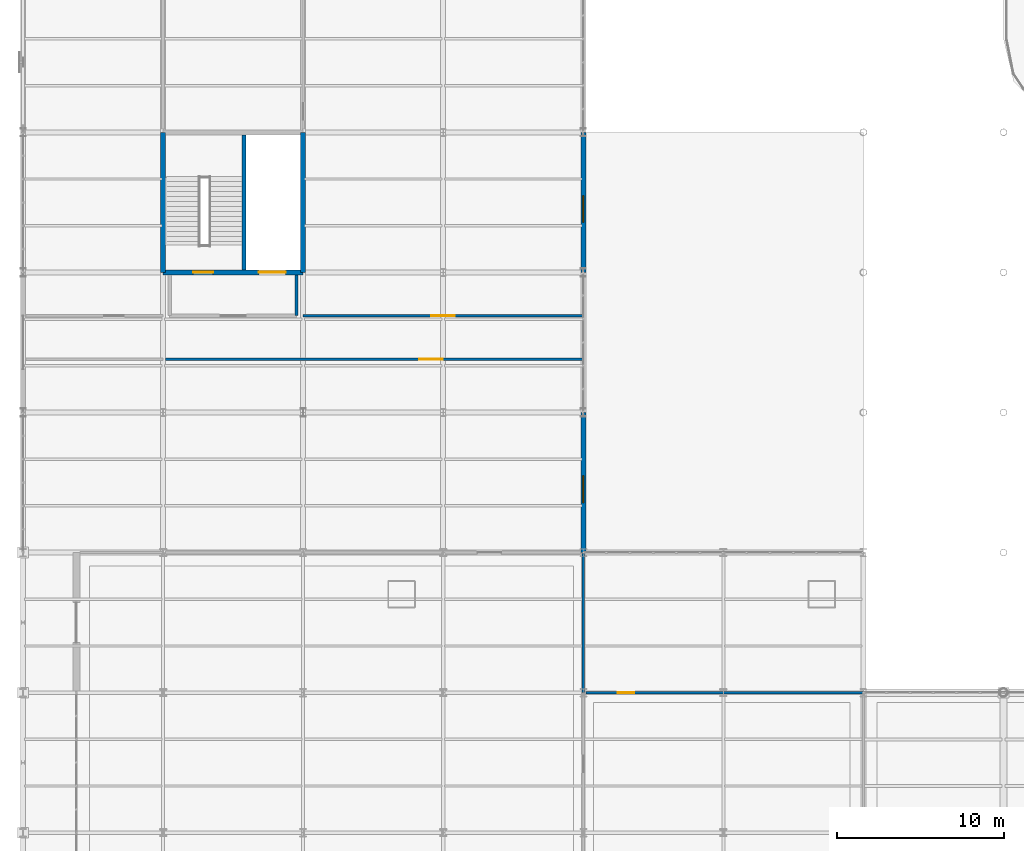
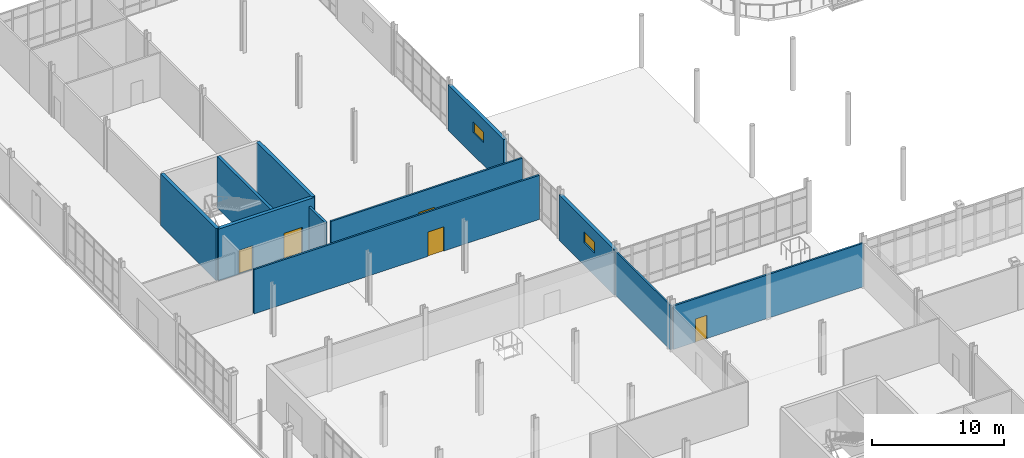
# One storey, part 125 of 145: 11 walls, 5 doors, 2 windows, 7 openings.
"""IFC4 building model written with IfcOpenShell, lengths in metres."""

from ifc_helpers import new_model, si_unit, direction, frame, frame_2d, origin, place, context, subcontext, project, spatial, rectangle, extrude, material, layer, layer_set, type_object, element, fill, save


model = new_model("IFC4")

# Units and contexts
model_context = context("Model", 3, precision=1e-05, world=origin(), true_north=direction((0.0, 1.0)))
body_context = subcontext(model_context, "Body", "Model", "MODEL_VIEW")
ifc_project = project(units=[si_unit("LENGTHUNIT", "METRE"), si_unit("AREAUNIT", "SQUARE_METRE"), si_unit("VOLUMEUNIT", "CUBIC_METRE"), si_unit("PLANEANGLEUNIT", "RADIAN"), si_unit("MASSUNIT", "GRAM", prefix="KILO")], contexts=[model_context])

# Site, building, storey
site_placement = place(None, origin())
site = spatial("IfcSite", under=ifc_project, at=site_placement, CompositionType="ELEMENT")
building_placement = place(site_placement, origin())
building = spatial("IfcBuilding", under=site, at=building_placement, Name="Qalvenar Corner Mobility Hub", CompositionType="ELEMENT")
storey_placement = place(building_placement, origin())
storey = spatial("IfcBuildingStorey", under=building, at=storey_placement, Name="L00", CompositionType="ELEMENT", Elevation=0.0)

# Wall
ifc_material_1 = material(Name="Concrete C40/50", Category="concrete")
ifc_layer_1 = layer(ifc_material_1, 0.25)
ifc_layer_set_1 = layer_set([ifc_layer_1], Name="Concrete C40/50")
wall_type_1 = type_object("IfcWallType", Name="WL-CORE250", PredefinedType="SHEAR", material=ifc_layer_set_1)
wall_1_placement = place(storey_placement, frame((13.25, 58.949951171875, 0.0), z_axis=(0.0, 0.0, 1.0), x_axis=(0.0, 1.0, 0.0)))
element("IfcWall", 1, at=wall_1_placement, inside=storey, type_object=wall_type_1, Name="Core Divider Wall C5-L00", PredefinedType="SHEAR", context=body_context, shape_type="SweptSolid", body=[
    extrude(rectangle(XDim=8.10009765625, YDim=0.25, at=frame_2d((4.050048828125, 0.0))), origin(), (0.0, 0.0, 1.0), 4.800048828125),
])

# Wall, openings, doors
ifc_layer_2 = layer(ifc_material_1, 0.300048828125)
ifc_layer_set_2 = layer_set([ifc_layer_2], Name="Concrete C40/50")
wall_type_2 = type_object("IfcWallType", Name="WL-CORE300", PredefinedType="SHEAR", material=ifc_layer_set_2)
wall_2_placement = place(storey_placement, frame((8.39990234375, 58.800048828125, 0.0), z_axis=(0.0, 0.0, 1.0), x_axis=(1.0, 0.0, 0.0)))
wall_2 = element("IfcWall", 2, at=wall_2_placement, inside=storey, type_object=wall_type_2, Name="Core Shear Wall C5-L00-S", PredefinedType="SHEAR", context=body_context, shape_type="SweptSolid", body=[
    extrude(rectangle(XDim=8.400146484375, YDim=0.300048828125, at=frame_2d((4.2001953125, 0.0))), origin(), (0.0, 0.0, 1.0), 4.800048828125),
])
opening_1_placement = place(wall_2_placement, frame((1.800048828125, 0.0, 0.0)))
opening_1 = element("IfcOpeningElement", 3, at=opening_1_placement, cuts=wall_2, Name="Opening DR-081", PredefinedType="OPENING", context=body_context, shape_type="SweptSolid", body=[
    extrude(rectangle(XDim=1.199951171875, YDim=2.199951171875, at=frame_2d((0.60009765625, 1.10009765625))), frame((0.0, 0.16015625, 0.0), z_axis=(0.0, -1.0, 0.0), x_axis=(1.0, 0.0, 0.0)), (0.0, 0.0, 1.0), 0.320068359375),
])
opening_2_placement = place(wall_2_placement, frame((5.75, 0.0, 0.0)))
opening_2 = element("IfcOpeningElement", 4, at=opening_2_placement, cuts=wall_2, Name="Opening DR-082", PredefinedType="OPENING", context=body_context, shape_type="SweptSolid", body=[
    extrude(rectangle(XDim=1.60009765625, YDim=2.39990234375, at=frame_2d((0.800048828125, 1.199951171875))), frame((0.0, 0.16015625, 0.0), z_axis=(0.0, -1.0, 0.0), x_axis=(1.0, 0.0, 0.0)), (0.0, 0.0, 1.0), 0.320068359375),
])
ifc_material_2 = material(Name="Stainless Steel Goods Lift Landing Door", Category="steel")
door_type_1 = type_object("IfcDoorType", Name="DR-LIFT-160", OperationType="SLIDING_TO_LEFT", PredefinedType="DOOR", material=ifc_material_2)
door_1_placement = place(opening_2_placement, origin())
door_1 = element("IfcDoor", 5, at=door_1_placement, inside=storey, type_object=door_type_1, Name="DR-082 Lift Landing Door LG1-L00", OperationType="SLIDING_TO_LEFT", OverallHeight=2.39990234375, OverallWidth=1.60009765625, PredefinedType="DOOR", context=body_context, shape_type="SweptSolid", body=[
    extrude(rectangle(XDim=1.60009765625, YDim=2.39990234375, at=frame_2d((0.800048828125, 1.199951171875))), frame((0.0, 0.02490234375, 0.0), z_axis=(0.0, -1.0, 0.0), x_axis=(1.0, 0.0, 0.0)), (0.0, 0.0, 1.0), 0.050048828125),
])
fill(opening_2, door_1)
ifc_material_3 = material(Name="Fire-Rated Steel Stair Door FD90", Category="steel")
door_type_2 = type_object("IfcDoorType", Name="DR-STAIR-120", OperationType="NOTDEFINED", PredefinedType="DOOR", material=ifc_material_3)
door_2_placement = place(opening_1_placement, origin())
door_2 = element("IfcDoor", 6, at=door_2_placement, inside=storey, type_object=door_type_2, Name="DR-081 Stair Fire Door ST5-L00", OperationType="SINGLE_SWING_RIGHT", OverallHeight=2.199951171875, OverallWidth=1.199951171875, PredefinedType="DOOR", context=body_context, shape_type="SweptSolid", body=[
    extrude(rectangle(XDim=1.199951171875, YDim=2.199951171875, at=frame_2d((0.60009765625, 1.10009765625))), frame((0.0, 0.02490234375, 0.0), z_axis=(0.0, -1.0, 0.0), x_axis=(1.0, 0.0, 0.0)), (0.0, 0.0, 1.0), 0.050048828125),
])
fill(opening_1, door_2)

# Walls
for number, where, z_axis, x_axis, name in (
    (7, (16.800048828125, 58.800048828125, 0.0), (0.0, 0.0, 1.0), (0.0, 1.0, 0.0), "Core Shear Wall C5-L00-E"),
    (8, (8.39990234375, 67.199951171875, 0.0), (0.0, 0.0, 1.0), (0.0, -1.0, 0.0), "Core Shear Wall C5-L00-W"),
):
    element("IfcWall", number, at=place(storey_placement, frame(where, z_axis=z_axis, x_axis=x_axis)), inside=storey, type_object=wall_type_2, Name=name, PredefinedType="SHEAR", context=body_context, shape_type="SweptSolid", body=[
        extrude(rectangle(XDim=8.39990234375, YDim=0.300048828125, at=frame_2d((4.199951171875, 0.0))), origin(), (0.0, 0.0, 1.0), 4.800048828125),
    ])

# Wall, opening, window
ifc_material_4 = material(Name="Lahori Fired Clay Brick Masonry", Category="masonry")
ifc_layer_3 = layer(ifc_material_4, 0.300048828125)
ifc_layer_set_3 = layer_set([ifc_layer_3], Name="Lahori Fired Clay Brick Masonry")
wall_type_3 = type_object("IfcWallType", Name="WL-EXT-BRK300", PredefinedType="STANDARD", material=ifc_layer_set_3)
wall_3_placement = place(storey_placement, frame((33.60009765625, 42.0, 0.0), z_axis=(0.0, 0.0, 1.0), x_axis=(0.0, 1.0, 0.0)))
wall_3 = element("IfcWall", 9, at=wall_3_placement, inside=storey, type_object=wall_type_3, Name="Exterior Facade Wall EW-V5-L00-E0", PredefinedType="STANDARD", context=body_context, shape_type="SweptSolid", body=[
    extrude(rectangle(XDim=8.39990234375, YDim=0.300048828125, at=frame_2d((4.199951171875, 0.0))), origin(), (0.0, 0.0, 1.0), 4.219970703125),
])
opening_3_placement = place(wall_3_placement, frame((3.0, 0.0, 2.10009765625)))
opening_3 = element("IfcOpeningElement", 10, at=opening_3_placement, cuts=wall_3, Name="Opening W-22", PredefinedType="OPENING", context=body_context, shape_type="SweptSolid", body=[
    extrude(rectangle(XDim=1.60009765625, YDim=1.0, at=frame_2d((0.800048828125, 0.5))), frame((0.0, 0.16015625, 0.0), z_axis=(0.0, -1.0, 0.0), x_axis=(1.0, 0.0, 0.0)), (0.0, 0.0, 1.0), 0.320068359375),
])
ifc_material_5 = material(Name="Solar-Control Double-Glazed Bronze Window", Category="glass")
window_type = type_object("IfcWindowType", Name="WN-CLR-160X100", PartitioningType="DOUBLE_PANEL_HORIZONTAL", PredefinedType="WINDOW", material=ifc_material_5)
window_1_placement = place(opening_3_placement, origin())
window_1 = element("IfcWindow", 11, at=window_1_placement, inside=storey, type_object=window_type, Name="Facade Window EW-V5-L00-E0-W1", OverallHeight=1.0, OverallWidth=1.60009765625, PartitioningType="SINGLE_PANEL", PredefinedType="WINDOW", context=body_context, shape_type="SweptSolid", body=[
    extrude(rectangle(XDim=1.60009765625, YDim=1.0, at=frame_2d((0.800048828125, 0.5))), frame((0.0, 0.030029296875, 0.0), z_axis=(0.0, -1.0, 0.0), x_axis=(1.0, 0.0, 0.0)), (0.0, 0.0, 1.0), 0.06005859375),
])
fill(opening_3, window_1)

wall_4_placement = place(storey_placement, frame((33.60009765625, 58.800048828125, 0.0), z_axis=(0.0, 0.0, 1.0), x_axis=(0.0, 1.0, 0.0)))
wall_4 = element("IfcWall", 12, at=wall_4_placement, inside=storey, type_object=wall_type_3, Name="Exterior Facade Wall EW-V5-L00-E2", PredefinedType="STANDARD", context=body_context, shape_type="SweptSolid", body=[
    extrude(rectangle(XDim=8.39990234375, YDim=0.300048828125, at=frame_2d((4.199951171875, 0.0))), origin(), (0.0, 0.0, 1.0), 4.219970703125),
])
opening_4_placement = place(wall_4_placement, frame((3.0, 0.0, 2.10009765625)))
opening_4 = element("IfcOpeningElement", 13, at=opening_4_placement, cuts=wall_4, Name="Opening W-22", PredefinedType="OPENING", context=body_context, shape_type="SweptSolid", body=[
    extrude(rectangle(XDim=1.60009765625, YDim=1.0, at=frame_2d((0.800048828125, 0.5))), frame((0.0, 0.16015625, 0.0), z_axis=(0.0, -1.0, 0.0), x_axis=(1.0, 0.0, 0.0)), (0.0, 0.0, 1.0), 0.320068359375),
])
window_2_placement = place(opening_4_placement, origin())
window_2 = element("IfcWindow", 14, at=window_2_placement, inside=storey, type_object=window_type, Name="Facade Window EW-V5-L00-E2-W1", OverallHeight=1.0, OverallWidth=1.60009765625, PartitioningType="SINGLE_PANEL", PredefinedType="WINDOW", context=body_context, shape_type="SweptSolid", body=[
    extrude(rectangle(XDim=1.60009765625, YDim=1.0, at=frame_2d((0.800048828125, 0.5))), frame((0.0, 0.030029296875, 0.0), z_axis=(0.0, -1.0, 0.0), x_axis=(1.0, 0.0, 0.0)), (0.0, 0.0, 1.0), 0.06005859375),
])
fill(opening_4, window_2)

# Wall
ifc_material_6 = material(Name="Acoustic Gypsum Stud Partition", Category="masonry")
ifc_layer_4 = layer(ifc_material_6, 0.139892578125)
ifc_layer_set_4 = layer_set([ifc_layer_4], Name="Acoustic Gypsum Stud Partition")
wall_type_4 = type_object("IfcWallType", Name="WL-INT140", PredefinedType="PARTITIONING", material=ifc_layer_set_4)
wall_5_placement = place(storey_placement, frame((33.60009765625, 33.60009765625, 0.0), z_axis=(0.0, 0.0, 1.0), x_axis=(0.0, 1.0, 0.0)))
element("IfcWall", 15, at=wall_5_placement, inside=storey, type_object=wall_type_4, Name="Interior Partition PRT-L00-045", PredefinedType="PARTITIONING", context=body_context, shape_type="SweptSolid", body=[
    extrude(rectangle(XDim=8.35498046875, YDim=0.139892578125, at=frame_2d((4.177490234375, 0.0))), origin(), (0.0, 0.0, 1.0), 4.090087890625),
])

# Wall, opening, door
ifc_material_7 = material(Name="Plastered Clay Brick Partition", Category="masonry")
ifc_layer_5 = layer(ifc_material_7, 0.159912109375)
ifc_layer_set_5 = layer_set([ifc_layer_5], Name="Plastered Clay Brick Partition")
wall_type_5 = type_object("IfcWallType", Name="WL-INT160", PredefinedType="PARTITIONING", material=ifc_layer_set_5)
wall_6_placement = place(storey_placement, frame((33.75, 33.60009765625, 0.0), z_axis=(0.0, 0.0, 1.0), x_axis=(1.0, 0.0, 0.0)))
wall_6 = element("IfcWall", 16, at=wall_6_placement, inside=storey, type_object=wall_type_5, Name="Interior Partition PRT-L00-021", PredefinedType="PARTITIONING", context=body_context, shape_type="SweptSolid", body=[
    extrude(rectangle(XDim=16.64990234375, YDim=0.159912109375, at=frame_2d((8.324951171875, 0.0))), origin(), (0.0, 0.0, 1.0), 4.0400390625),
])
opening_5_placement = place(wall_6_placement, frame((1.919921875, 0.0, 0.0)))
opening_5 = element("IfcOpeningElement", 17, at=opening_5_placement, cuts=wall_6, Name="Opening DR-096", PredefinedType="OPENING", context=body_context, shape_type="SweptSolid", body=[
    extrude(rectangle(XDim=1.0, YDim=2.14990234375, at=frame_2d((0.5, 1.074951171875))), frame((0.0, 0.08984375, 0.0), z_axis=(0.0, -1.0, 0.0), x_axis=(1.0, 0.0, 0.0)), (0.0, 0.0, 1.0), 0.179931640625),
])
ifc_material_8 = material(Name="Hardwood Teak Office Door FD30", Category="wood")
door_type_3 = type_object("IfcDoorType", Name="DR-INT-OFF100", OperationType="NOTDEFINED", PredefinedType="DOOR", material=ifc_material_8)
door_3_placement = place(opening_5_placement, origin())
door_3 = element("IfcDoor", 18, at=door_3_placement, inside=storey, type_object=door_type_3, Name="DR-096 Commuter Travel Retail Kiosks Door", OperationType="SINGLE_SWING_RIGHT", OverallHeight=2.14990234375, OverallWidth=1.0, PredefinedType="DOOR", context=body_context, shape_type="SweptSolid", body=[
    extrude(rectangle(XDim=1.0, YDim=2.14990234375, at=frame_2d((0.5, 1.074951171875))), frame((0.0, 0.02490234375, 0.0), z_axis=(0.0, -1.0, 0.0), x_axis=(1.0, 0.0, 0.0)), (0.0, 0.0, 1.0), 0.050048828125),
])
fill(opening_5, door_3)

wall_7_placement = place(storey_placement, frame((8.550048828125, 53.60009765625, 0.0), z_axis=(0.0, 0.0, 1.0), x_axis=(1.0, 0.0, 0.0)))
wall_7 = element("IfcWall", 19, at=wall_7_placement, inside=storey, type_object=wall_type_5, Name="Interior Partition PRT-L00-026", PredefinedType="PARTITIONING", context=body_context, shape_type="SweptSolid", body=[
    extrude(rectangle(XDim=25.0048828125, YDim=0.159912109375, at=frame_2d((12.50244140625, 0.0))), origin(), (0.0, 0.0, 1.0), 4.10009765625),
])
opening_6_placement = place(wall_7_placement, frame((15.219970703125, 0.0, 0.0)))
opening_6 = element("IfcOpeningElement", 20, at=opening_6_placement, cuts=wall_7, Name="Opening DR-099", PredefinedType="OPENING", context=body_context, shape_type="SweptSolid", body=[
    extrude(rectangle(XDim=1.39990234375, YDim=2.25, at=frame_2d((0.699951171875, 1.125))), frame((0.0, 0.08984375, 0.0), z_axis=(0.0, -1.0, 0.0), x_axis=(1.0, 0.0, 0.0)), (0.0, 0.0, 1.0), 0.179931640625),
])
ifc_material_9 = material(Name="Hardwood Teak Acoustic Double Door", Category="wood")
door_type_4 = type_object("IfcDoorType", Name="DR-INT-PUB140", OperationType="DOUBLE_DOOR_SINGLE_SWING", PredefinedType="DOOR", material=ifc_material_9)
door_4_placement = place(opening_6_placement, origin())
door_4 = element("IfcDoor", 21, at=door_4_placement, inside=storey, type_object=door_type_4, Name="DR-099 Bicycle Repair Shop and Rental Counter Door", OperationType="DOUBLE_DOOR_SINGLE_SWING", OverallHeight=2.25, OverallWidth=1.39990234375, PredefinedType="DOOR", context=body_context, shape_type="SweptSolid", body=[
    extrude(rectangle(XDim=1.39990234375, YDim=2.25, at=frame_2d((0.699951171875, 1.125))), frame((0.0, 0.02490234375, 0.0), z_axis=(0.0, -1.0, 0.0), x_axis=(1.0, 0.0, 0.0)), (0.0, 0.0, 1.0), 0.050048828125),
])
fill(opening_6, door_4)

wall_8_placement = place(storey_placement, frame((16.800048828125, 56.199951171875, 0.0), z_axis=(0.0, 0.0, 1.0), x_axis=(1.0, 0.0, 0.0)))
wall_8 = element("IfcWall", 22, at=wall_8_placement, inside=storey, type_object=wall_type_5, Name="Interior Partition PRT-L00-028", PredefinedType="PARTITIONING", context=body_context, shape_type="SweptSolid", body=[
    extrude(rectangle(XDim=16.7548828125, YDim=0.159912109375, at=frame_2d((8.37744140625, 0.0))), origin(), (0.0, 0.0, 1.0), 4.10009765625),
])
opening_7_placement = place(wall_8_placement, frame((7.677001953125, 0.0, 0.0)))
opening_7 = element("IfcOpeningElement", 23, at=opening_7_placement, cuts=wall_8, Name="Opening DR-101", PredefinedType="OPENING", context=body_context, shape_type="SweptSolid", body=[
    extrude(rectangle(XDim=1.39990234375, YDim=2.25, at=frame_2d((0.699951171875, 1.125))), frame((0.0, 0.08984375, 0.0), z_axis=(0.0, -1.0, 0.0), x_axis=(1.0, 0.0, 0.0)), (0.0, 0.0, 1.0), 0.179931640625),
])
door_5_placement = place(opening_7_placement, origin())
door_5 = element("IfcDoor", 24, at=door_5_placement, inside=storey, type_object=door_type_4, Name="DR-101 Shared Micromobility Scooter Docking Hal Door", OperationType="DOUBLE_DOOR_SINGLE_SWING", OverallHeight=2.25, OverallWidth=1.39990234375, PredefinedType="DOOR", context=body_context, shape_type="SweptSolid", body=[
    extrude(rectangle(XDim=1.39990234375, YDim=2.25, at=frame_2d((0.699951171875, 1.125))), frame((0.0, 0.02490234375, 0.0), z_axis=(0.0, -1.0, 0.0), x_axis=(1.0, 0.0, 0.0)), (0.0, 0.0, 1.0), 0.050048828125),
])
fill(opening_7, door_5)

# Wall
ifc_material_10 = material(Name="Concrete Blockwork Masonry", Category="masonry")
ifc_layer_6 = layer(ifc_material_10, 0.199951171875)
ifc_layer_set_6 = layer_set([ifc_layer_6], Name="Concrete Blockwork Masonry")
wall_type_6 = type_object("IfcWallType", Name="WL-LOBBY200", PredefinedType="PARTITIONING", material=ifc_layer_set_6)
wall_9_placement = place(storey_placement, frame((16.39990234375, 56.199951171875, 0.0), z_axis=(0.0, 0.0, 1.0), x_axis=(0.0, 1.0, 0.0)))
element("IfcWall", 25, at=wall_9_placement, inside=storey, type_object=wall_type_6, Name="Interior Partition WL-LOB-C5-L00-E", PredefinedType="PARTITIONING", context=body_context, shape_type="SweptSolid", body=[
    extrude(rectangle(XDim=2.449951171875, YDim=0.199951171875, at=frame_2d((1.22509765625, 0.0))), origin(), (0.0, 0.0, 1.0), 4.10009765625),
])

save(model, "model.ifc")
